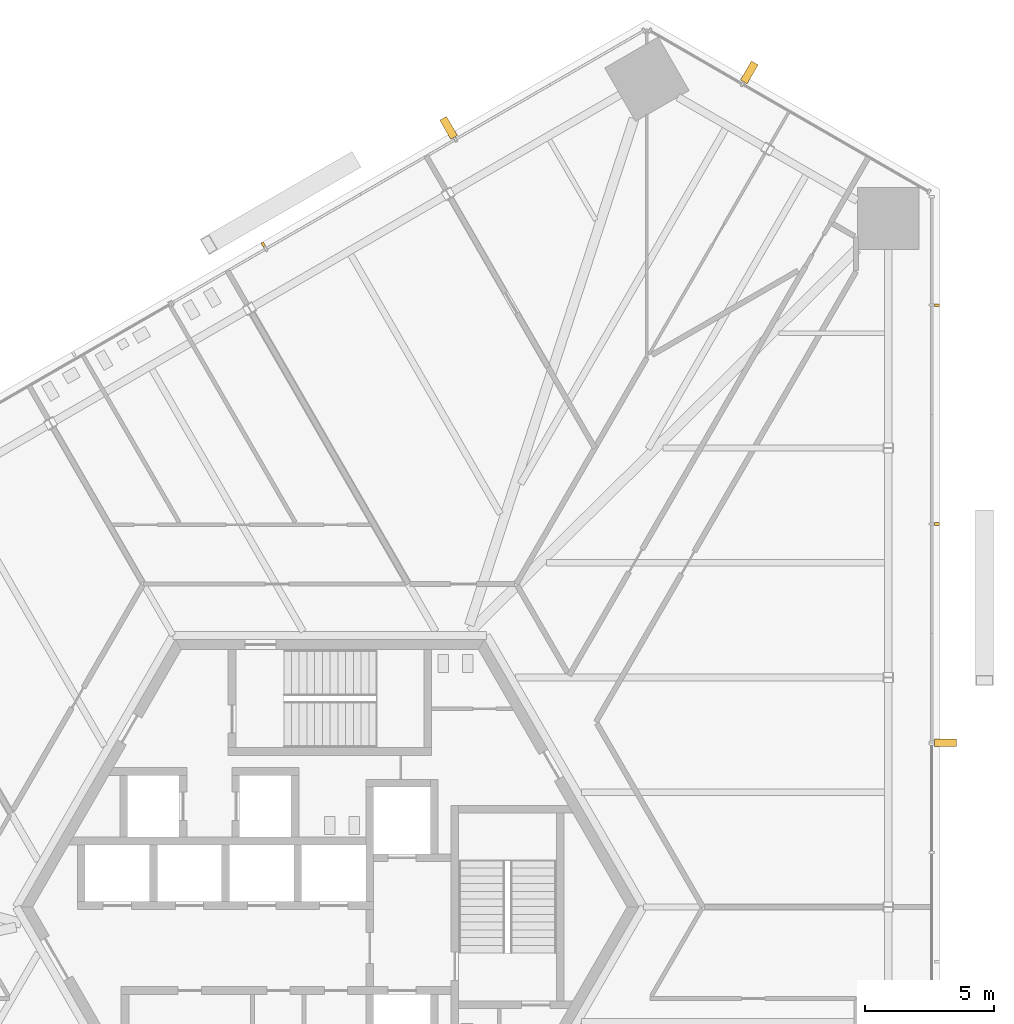
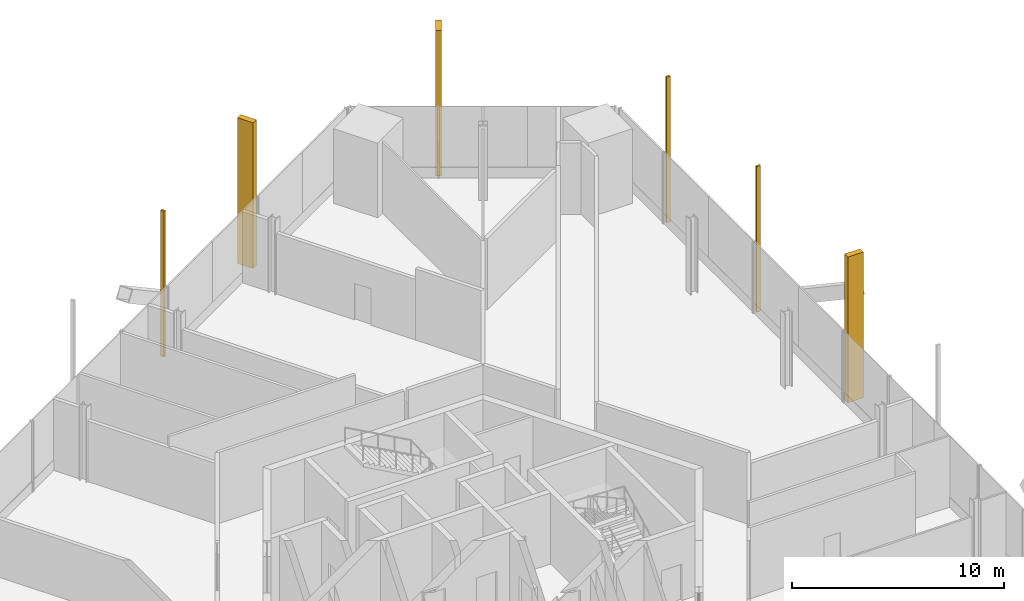
# One storey, part 18 of 19: 6 shading devices.
"""IFC4 building model written with IfcOpenShell, lengths in metres."""

from ifc_helpers import new_model, si_unit, direction, frame, origin, origin_2d, place, context, subcontext, project, spatial, rectangle, extrude, source, transform, mapped, material, element, save


model = new_model("IFC4")

# Units and contexts
model_context = context("Model", 3, precision=1e-05, world=origin(), true_north=direction((0.0, 1.0)))
body_context = subcontext(model_context, "Body", "Model", "MODEL_VIEW")
ifc_project = project(units=[si_unit("LENGTHUNIT", "METRE"), si_unit("AREAUNIT", "SQUARE_METRE"), si_unit("VOLUMEUNIT", "CUBIC_METRE"), si_unit("PLANEANGLEUNIT", "RADIAN"), si_unit("MASSUNIT", "GRAM", prefix="KILO")], contexts=[model_context])

# Site, building, storey
site_placement = place(None, origin())
site = spatial("IfcSite", under=ifc_project, at=site_placement, CompositionType="ELEMENT")
building_placement = place(site_placement, origin())
building = spatial("IfcBuilding", under=site, at=building_placement, Name="Triune Harvest Tower", CompositionType="ELEMENT")
storey_placement = place(building_placement, frame((0.0, 0.0, 24.60009765625)))
storey = spatial("IfcBuildingStorey", under=building, at=storey_placement, Name="L05", CompositionType="ELEMENT", Elevation=24.60009765625)

# Shading devices
ifc_material = material(Name="Aluminium bronze anodised", Category="aluminium")
shared_shape_1 = source(origin(), body_context, "Body", "SweptSolid", [
    extrude(rectangle(XDim=0.10009765625, YDim=0.199951171875, at=origin_2d()), origin(), (0.0, 0.0, 1.0), 8.39990234375),
])
for number, where, z_axis, x_axis, name in (
    (1, (23.5712890625, 14.87060546875, 0.0), (0.0, 0.0, 1.0), (0.0, 1.0, 0.0), "FN-1 fin B1-F1.11 L05"),
    (2, (23.5712890625, 23.3681640625, 0.0), (0.0, 0.0, 1.0), (0.0, 1.0, 0.0), "FN-1 fin B1-F1.13 L05"),
    (3, (-2.5869140625, 25.724365234375, 0.0), (0.0, 0.0, 1.0), (-0.866025470037, -0.499999885247, 0.0), "FN-1 fin B1-F3.5 L05"),
):
    element("IfcShadingDevice", number, at=place(storey_placement, frame(where, z_axis=z_axis, x_axis=x_axis)), inside=storey, material=ifc_material, Name=name, ObjectType="FIN", PredefinedType="USERDEFINED", context=body_context, shape_type="MappedRepresentation", body=[
        mapped(shared_shape_1, transform((0.0, 0.0, 0.0), scale=1.0)),
    ])
shared_shape_2 = source(origin(), body_context, "Body", "SweptSolid", [
    extrude(rectangle(XDim=0.300048828125, YDim=0.85009765625, at=origin_2d()), origin(), (0.0, 0.0, 1.0), 8.39990234375),
])
for number, where, z_axis, x_axis, name in (
    (4, (23.896484375, 6.373046875, 0.0), (0.0, 0.0, 1.0), (0.0, 1.0, 0.0), "FN-2 fin B1-F1.9 L05"),
    (5, (16.284912109375, 32.404296875, 0.0), (0.0, 0.0, 1.0), (-0.866026145592, 0.499998715149, 0.0), "FN-2 fin B1-F2.3 L05"),
    (6, (4.609619140625, 30.254638671875, 0.0), (0.0, 0.0, 1.0), (-0.866025470037, -0.499999885247, 0.0), "FN-2 fin B1-F3.3 L05"),
):
    element("IfcShadingDevice", number, at=place(storey_placement, frame(where, z_axis=z_axis, x_axis=x_axis)), inside=storey, material=ifc_material, Name=name, ObjectType="FIN", PredefinedType="USERDEFINED", context=body_context, shape_type="MappedRepresentation", body=[
        mapped(shared_shape_2, transform((0.0, 0.0, 0.0), scale=1.0)),
    ])

save(model, "model.ifc")
